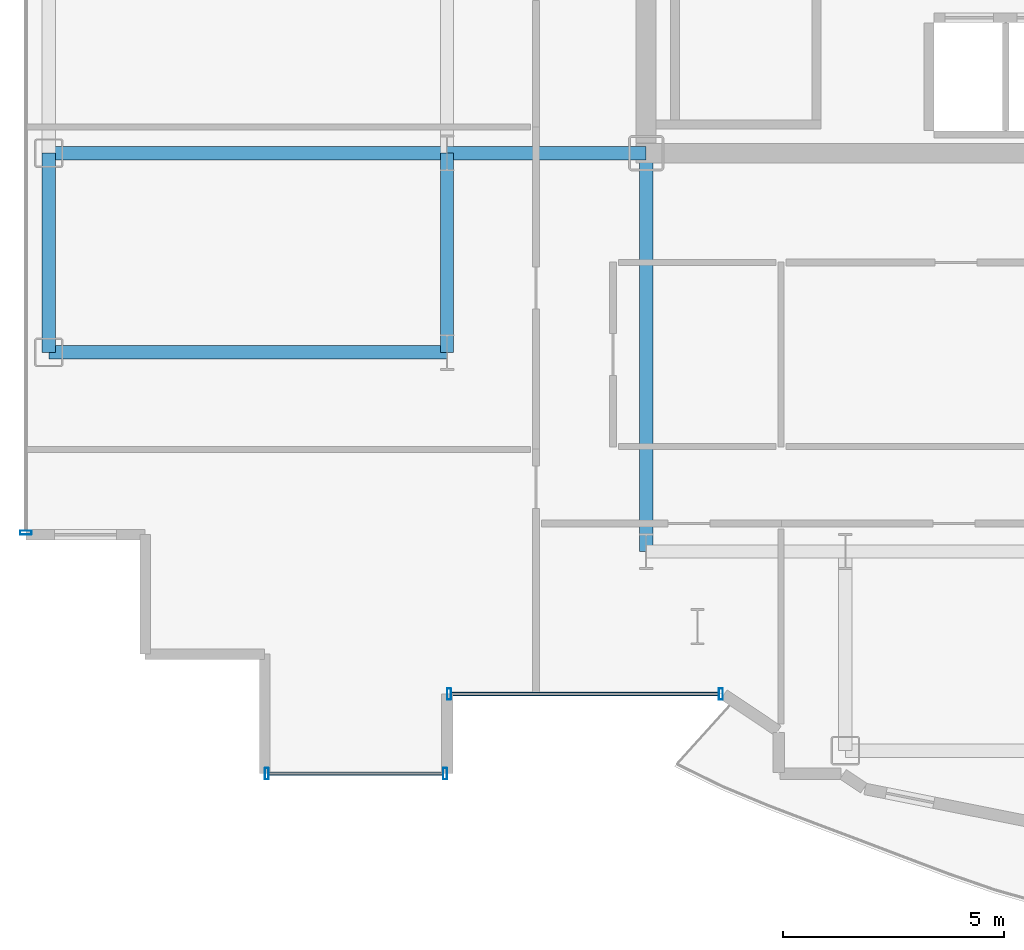
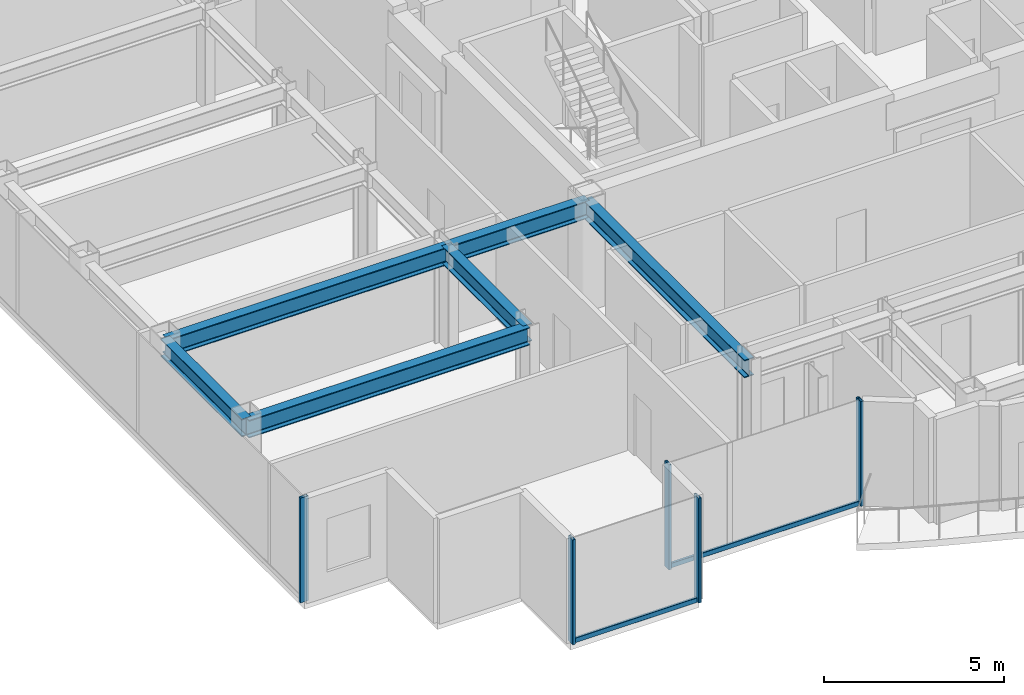
# One storey, part 2 of 21: 7 members, 6 beams, 3 elements without a shape of their own.
"""IFC4 building model written with IfcOpenShell, lengths in metres."""

import ifcopenshell
import ifcopenshell.guid

model = None  # the IFC model being written
_history = None  # IfcOwnerHistory: only IFC2X3 demands one
_inside = {}  # id of a spatial element -> (the spatial element, [elements in it])
_under = {}  # id of a project, library or spatial element -> (it, [spatial elements below it])
_declared = {}  # id of a project -> (the project, [libraries it declares])
_typed = {}  # id of a type object -> (the type object, [elements of that type])
_made_of = {}  # id of a material, layer set ... -> (it, [elements and type objects made of it])


def new_model(schema):
    """Start an empty IFC model of exactly this schema.

    Asked for "IFC4X3", IfcOpenShell would pick the latest addendum, in which some entities
    have other attributes; the version numbers below select the first issue.
    IFC2X3 requires an IfcOwnerHistory on every rooted entity: one is made here for all.
    """
    global model, _history
    if schema == "IFC4X3":
        model = ifcopenshell.file(schema_version=(4, 3, 0, 0))
    else:
        model = ifcopenshell.file(schema=schema)
    _inside.clear()
    _under.clear()
    _declared.clear()
    _typed.clear()
    _made_of.clear()
    _history = None
    if model.schema == "IFC2X3":
        org = make("IfcOrganization", Name="unknown")
        user = make(
            "IfcPersonAndOrganization",
            ThePerson=make("IfcPerson", FamilyName="unknown"),
            TheOrganization=org,
        )
        app = make(
            "IfcApplication",
            ApplicationDeveloper=org,
            Version="unknown",
            ApplicationFullName="unknown",
            ApplicationIdentifier="unknown",
        )
        _history = make(
            "IfcOwnerHistory",
            OwningUser=user,
            OwningApplication=app,
            ChangeAction="ADDED",
            CreationDate=0,
        )
    return model


def make(cls, **values):
    """One entity of the class cls with the attributes given. An attribute that is None is left unset."""
    return model.create_entity(
        cls, **{name: value for name, value in values.items() if value is not None}
    )


def rooted(cls, **values):
    """An entity with a GlobalId (a new one), such as an element, a storey or a relation."""
    return make(cls, GlobalId=ifcopenshell.guid.new(), OwnerHistory=_history, **values)


def si_unit(unit_type, name, prefix=None):
    """IfcSIUnit, for example si_unit("LENGTHUNIT", "METRE", prefix="MILLI")."""
    return make("IfcSIUnit", UnitType=unit_type, Prefix=prefix, Name=name)


def assignment(units):
    """IfcUnitAssignment: the units of a project."""
    return None if units is None else make("IfcUnitAssignment", Units=units)


def point(xyz):
    """IfcCartesianPoint."""
    return None if xyz is None else make("IfcCartesianPoint", Coordinates=xyz)


def direction(xyz):
    """IfcDirection."""
    return None if xyz is None else make("IfcDirection", DirectionRatios=xyz)


def frame(location, z_axis=None, x_axis=None):
    """IfcAxis2Placement3D, a coordinate frame: its origin and axes. An axis left out is left unset."""
    return make(
        "IfcAxis2Placement3D",
        Location=point(location),
        Axis=direction(z_axis),
        RefDirection=direction(x_axis),
    )


def frame_2d(location, x_axis=None):
    """IfcAxis2Placement2D, a coordinate frame in the plane: its origin and x axis."""
    return make(
        "IfcAxis2Placement2D", Location=point(location), RefDirection=direction(x_axis)
    )


def origin():
    """The frame at (0, 0, 0) with its axes left unset."""
    return frame((0.0, 0.0, 0.0))


def origin_2d():
    """The frame at (0, 0) in the plane with its x axis left unset."""
    return frame_2d((0.0, 0.0))


def place(relative_to, where):
    """IfcLocalPlacement: puts the frame where relative to a parent placement (None: the world)."""
    return make(
        "IfcLocalPlacement", PlacementRelTo=relative_to, RelativePlacement=where
    )


def context(
    kind, dimensions, precision=None, world=None, true_north=None, identifier=None
):
    """IfcGeometricRepresentationContext, for example the 3D "Model" context."""
    return make(
        "IfcGeometricRepresentationContext",
        ContextIdentifier=identifier,
        ContextType=kind,
        CoordinateSpaceDimension=dimensions,
        Precision=precision,
        WorldCoordinateSystem=world,
        TrueNorth=true_north,
    )


def subcontext(parent, identifier, kind, view, scale=None):
    """IfcGeometricRepresentationSubContext, for example "Body" below "Model"."""
    return make(
        "IfcGeometricRepresentationSubContext",
        ContextIdentifier=identifier,
        ContextType=kind,
        ParentContext=parent,
        TargetScale=scale,
        TargetView=view,
    )


def project(units=None, contexts=None):
    """IfcProject with its units and contexts."""
    return rooted(
        "IfcProject",
        Name="project",
        RepresentationContexts=contexts,
        UnitsInContext=assignment(units),
    )


def spatial(cls, under=None, at=None, **own):
    """A site, building, storey or space (cls), placed at a placement, below another one or the project."""
    s = rooted(cls, ObjectPlacement=at, **own)
    if under is not None:
        _under.setdefault(under.id(), (under, []))[1].append(s)
    return s


def profile(cls, at=None, kind="AREA", **sizes):
    """A parametric profile (cls). Its sizes go by their IFC names, for example OverallWidth=200.0."""
    return make(cls, ProfileType=kind, Position=at, **sizes)


def hollow_rectangle(**sizes):
    """IfcRectangleHollowProfileDef."""
    return profile("IfcRectangleHollowProfileDef", **sizes)


def i_section(**sizes):
    """IfcIShapeProfileDef."""
    return profile("IfcIShapeProfileDef", **sizes)


def extrude(swept, where, along, depth):
    """IfcExtrudedAreaSolid: the profile swept, set in the frame where, extruded along a direction by depth."""
    return make(
        "IfcExtrudedAreaSolid",
        SweptArea=swept,
        Position=where,
        ExtrudedDirection=direction(along),
        Depth=depth,
    )


def shape(context_of_items, identifier, shape_type, items):
    """IfcShapeRepresentation: the items that make up one representation, for example the "Body"."""
    return make(
        "IfcShapeRepresentation",
        ContextOfItems=context_of_items,
        RepresentationIdentifier=identifier,
        RepresentationType=shape_type,
        Items=items,
    )


def source(mapping_origin, context_of_items, identifier, shape_type, items):
    """IfcRepresentationMap: a shape defined once, which mapped items show again and again."""
    return make(
        "IfcRepresentationMap",
        MappingOrigin=mapping_origin,
        MappedRepresentation=shape(context_of_items, identifier, shape_type, items),
    )


def transform(
    local_origin,
    x_axis=None,
    y_axis=None,
    z_axis=None,
    scale=None,
    scale2=None,
    scale3=None,
    uniform=True,
):
    """IfcCartesianTransformationOperator3D, or its non-uniform kind. x_axis, y_axis, z_axis: its Axis1, 2, 3."""
    if uniform:
        return make(
            "IfcCartesianTransformationOperator3D",
            Axis1=direction(x_axis),
            Axis2=direction(y_axis),
            LocalOrigin=point(local_origin),
            Scale=scale,
            Axis3=direction(z_axis),
        )
    return make(
        "IfcCartesianTransformationOperator3DnonUniform",
        Axis1=direction(x_axis),
        Axis2=direction(y_axis),
        LocalOrigin=point(local_origin),
        Scale=scale,
        Axis3=direction(z_axis),
        Scale2=scale2,
        Scale3=scale3,
    )


def mapped(mapping_source, mapping_target):
    """IfcMappedItem: shows the shape of a source again, moved by a transform."""
    return make(
        "IfcMappedItem", MappingSource=mapping_source, MappingTarget=mapping_target
    )


def material(Name=None, Category=None):
    """IfcMaterial."""
    return make("IfcMaterial", Name=Name, Category=Category)


def layer(
    of_material, thickness, ventilated=None, Name=None, Category=None, Priority=None
):
    """IfcMaterialLayer: one layer of a wall or slab, of a material (None: an air gap)."""
    return make(
        "IfcMaterialLayer",
        Material=of_material,
        LayerThickness=thickness,
        IsVentilated=ventilated,
        Name=Name,
        Category=Category,
        Priority=Priority,
    )


def layer_set(layers, Name=None):
    """IfcMaterialLayerSet."""
    return make("IfcMaterialLayerSet", MaterialLayers=layers, LayerSetName=Name)


def material_profile(
    of_material, cross_section, Name=None, Category=None, Priority=None
):
    """IfcMaterialProfile: a cross section and its material."""
    return make(
        "IfcMaterialProfile",
        Name=Name,
        Material=of_material,
        Profile=cross_section,
        Priority=Priority,
        Category=Category,
    )


def profile_set(profiles, Name=None, composite=None):
    """IfcMaterialProfileSet."""
    return make(
        "IfcMaterialProfileSet",
        Name=Name,
        MaterialProfiles=profiles,
        CompositeProfile=composite,
    )


def made_of(thing, what):
    """Note that an element or type object is made of a material, layer set ...; save() writes the relation."""
    if what is not None:
        _made_of.setdefault(what.id(), (what, []))[1].append(thing)
    return thing


def type_object(cls, material=None, **own):
    """A type object (cls), such as IfcWallType, which elements share."""
    return made_of(rooted(cls, **own), material)


def element(
    cls,
    number,
    at=None,
    inside=None,
    cuts=None,
    type_object=None,
    material=None,
    context=None,
    identifier="Body",
    shape_type=None,
    held_by="IfcProductDefinitionShape",
    body=None,
    shapes=None,
    **own,
):
    """One element of the class cls, such as IfcWall. Its Tag is "e" and its number.

    at: its placement. inside: the storey or other place that contains it. cuts: it is an
    opening in that element (IfcRelVoidsElement). A single representation is given by context,
    identifier, shape_type and body (its items); several are given by shapes. held_by: the class
    of the entity that holds the representations. save() writes the other relations.
    """
    e = rooted(cls, Tag="e%d" % number, ObjectPlacement=at, **own)
    if body is not None:
        shapes = [shape(context, identifier, shape_type, body)]
    if shapes is not None:
        e.Representation = make(held_by, Representations=shapes)
    if inside is not None:
        _inside.setdefault(inside.id(), (inside, []))[1].append(e)
    if cuts is not None:
        rooted(
            "IfcRelVoidsElement", RelatingBuildingElement=cuts, RelatedOpeningElement=e
        )
    if type_object is not None:
        _typed.setdefault(type_object.id(), (type_object, []))[1].append(e)
    return made_of(e, material)


def aggregate(whole, parts):
    """IfcRelAggregates: a whole, such as a stair, and the parts it consists of."""
    return rooted("IfcRelAggregates", RelatingObject=whole, RelatedObjects=parts)


def save(model, path):
    """Write the relations noted so far, then the file.

    IfcRelAggregates (storeys below a building ...), IfcRelContainedInSpatialStructure (elements
    in a storey), IfcRelDefinesByType, IfcRelAssociatesMaterial and IfcRelDeclares: one each for
    every whole, place, type object, material and project.
    """
    for whole, parts in _under.values():
        aggregate(whole, parts)
    for where, things in _inside.values():
        rooted(
            "IfcRelContainedInSpatialStructure",
            RelatedElements=things,
            RelatingStructure=where,
        )
    for kind, things in _typed.values():
        rooted("IfcRelDefinesByType", RelatedObjects=things, RelatingType=kind)
    for what, things in _made_of.values():
        rooted("IfcRelAssociatesMaterial", RelatedObjects=things, RelatingMaterial=what)
    for by, libraries in _declared.values():
        rooted("IfcRelDeclares", RelatingContext=by, RelatedDefinitions=libraries)
    model.write(path)


model = new_model("IFC4")

# Units and contexts
model_context = context("Model", 3, precision=1e-05, world=origin(), true_north=direction((0.0, 1.0)))
body_context = subcontext(model_context, "Body", "Model", "MODEL_VIEW")
ifc_project = project(units=[si_unit("LENGTHUNIT", "METRE"), si_unit("AREAUNIT", "SQUARE_METRE"), si_unit("VOLUMEUNIT", "CUBIC_METRE"), si_unit("PLANEANGLEUNIT", "RADIAN"), si_unit("MASSUNIT", "GRAM", prefix="KILO")], contexts=[model_context])

# Site, building, storey
site_placement = place(None, origin())
site = spatial("IfcSite", under=ifc_project, at=site_placement, CompositionType="ELEMENT")
building_placement = place(site_placement, origin())
building = spatial("IfcBuilding", under=site, at=building_placement, Name="Nefas-Gora Pilgrimage Tower", CompositionType="ELEMENT")
storey_placement = place(building_placement, frame((0.0, 0.0, 210.39990234375)))
storey = spatial("IfcBuildingStorey", under=building, at=storey_placement, Name="L52", CompositionType="ELEMENT", Elevation=210.39990234375)

# Beams
ifc_material_1 = material(Name="Steel S355", Category="steel")
ifc_material_profile_1 = material_profile(ifc_material_1, i_section(OverallWidth=0.300048828125, OverallDepth=0.60009765625, WebThickness=0.015380859375, FlangeThickness=0.030029296875, FilletRadius=0.027099609375, at=origin_2d()), Name="HEB 600")
ifc_profile_set_1 = profile_set([ifc_material_profile_1], Name="Steel S355")
beam_type_1 = type_object("IfcBeamType", Name="BM-SPN-HEB450", PredefinedType="SPANDREL", material=ifc_profile_set_1)
shared_shape_1 = source(origin(), body_context, "Body", "SweptSolid", [
    extrude(i_section(OverallWidth=0.300048828125, OverallDepth=0.60009765625, WebThickness=0.015380859375, FlangeThickness=0.030029296875, FilletRadius=0.027099609375, at=origin_2d()), origin(), (0.0, 0.0, 1.0), 4.5),
])
beam_placement = place(storey_placement, frame((-24.75, -13.5, 3.25), z_axis=(0.0, 1.0, 0.0), x_axis=(-1.0, 0.0, 0.0)))
element("IfcBeam", 1, at=beam_placement, inside=storey, type_object=beam_type_1, Name="L52 SP-03 beam", PredefinedType="SPANDREL", context=body_context, shape_type="MappedRepresentation", body=[
    mapped(shared_shape_1, transform((0.0, 0.0, 0.0), x_axis=(1.0, 0.0, 0.0), y_axis=(0.0, 1.0, 0.0), z_axis=(0.0, 0.0, 1.0), scale=1.0)),
])
ifc_material_profile_2 = material_profile(ifc_material_1, i_section(OverallWidth=0.300048828125, OverallDepth=0.60009765625, WebThickness=0.015380859375, FlangeThickness=0.030029296875, FilletRadius=0.027099609375, at=origin_2d()), Name="HEB 600")
ifc_profile_set_2 = profile_set([ifc_material_profile_2], Name="Steel S355")
beam_type_2 = type_object("IfcBeamType", Name="BM-GIR-HEB600", PredefinedType="BEAM", material=ifc_profile_set_2)
shared_shape_2 = source(origin(), body_context, "Body", "SweptSolid", [
    extrude(i_section(OverallWidth=0.300048828125, OverallDepth=0.60009765625, WebThickness=0.015380859375, FlangeThickness=0.030029296875, FilletRadius=0.027099609375, at=origin_2d()), origin(), (0.0, 0.0, 1.0), 9.0),
])
for number, where, z_axis, x_axis, name in (
    (2, (-24.75, -13.5, 3.25), (1.0, 0.0, 0.0), (0.0, 1.0, 0.0), "L52 G-04 beam"),
    (3, (-24.75, -9.0, 3.25), (1.0, 0.0, 0.0), (0.0, 1.0, 0.0), "L52 G-04 beam"),
    (4, (-11.25, -18.0, 3.25), (0.0, 1.0, 0.0), (-1.0, 0.0, 0.0), "L52 G-04 beam"),
):
    element("IfcBeam", number, at=place(storey_placement, frame(where, z_axis=z_axis, x_axis=x_axis)), inside=storey, type_object=beam_type_2, Name=name, PredefinedType="BEAM", context=body_context, shape_type="MappedRepresentation", body=[
        mapped(shared_shape_2, transform((0.0, 0.0, 0.0), x_axis=(1.0, 0.0, 0.0), y_axis=(0.0, 1.0, 0.0), z_axis=(0.0, 0.0, 1.0), scale=1.0)),
    ])
shared_shape_3 = source(origin(), body_context, "Body", "SweptSolid", [
    extrude(i_section(OverallWidth=0.300048828125, OverallDepth=0.60009765625, WebThickness=0.015380859375, FlangeThickness=0.030029296875, FilletRadius=0.027099609375, at=origin_2d()), origin(), (0.0, 0.0, 1.0), 4.5),
])
for number, where, z_axis, x_axis, name in (
    (5, (-15.75, -13.5, 3.25), (0.0, 1.0, 0.0), (-1.0, 0.0, 0.0), "L52 G-04 beam"),
    (6, (-15.75, -9.0, 3.25), (1.0, 0.0, 0.0), (0.0, 1.0, 0.0), "L52 G-04 beam"),
):
    element("IfcBeam", number, at=place(storey_placement, frame(where, z_axis=z_axis, x_axis=x_axis)), inside=storey, type_object=beam_type_2, Name=name, PredefinedType="BEAM", context=body_context, shape_type="MappedRepresentation", body=[
        mapped(shared_shape_3, transform((0.0, 0.0, 0.0), x_axis=(1.0, 0.0, 0.0), y_axis=(0.0, 1.0, 0.0), z_axis=(0.0, 0.0, 1.0), scale=1.0)),
    ])

# Curtain wall, members
ifc_material_2 = material(Name="Dark ceramic-fritted solar-control aluminium-glass curtain wall", Category="aluminium")
ifc_layer_1 = layer(ifc_material_2, 0.219970703125)
ifc_layer_set_1 = layer_set([ifc_layer_1], Name="Dark ceramic-fritted solar-control aluminium-glass curtain wall")
curtain_wall_type_1 = type_object("IfcCurtainWallType", Name="CW-SYS-5", PredefinedType="NOTDEFINED", material=ifc_layer_set_1)
curtain_wall_1_placement = place(storey_placement, origin())
curtain_wall_1 = element("IfcCurtainWall", 7, at=curtain_wall_1_placement, inside=storey, type_object=curtain_wall_type_1, Name="L52 Unitised Curtain Wall CW5", PredefinedType="NOTDEFINED")
ifc_material_3 = material(Name="Anodised architectural aluminium", Category="aluminium")
ifc_material_profile_3 = material_profile(ifc_material_3, hollow_rectangle(XDim=0.090087890625, YDim=0.260009765625, WallThickness=0.006103515625, InnerFilletRadius=0.006103515625, OuterFilletRadius=0.011962890625, at=origin_2d()), Name="ALU MULLION 90x260")
ifc_profile_set_3 = profile_set([ifc_material_profile_3], Name="Anodised architectural aluminium")
member_type_1 = type_object("IfcMemberType", Name="CWM-MUL-5", PredefinedType="MULLION", material=ifc_profile_set_3)
shared_shape_4 = source(origin(), body_context, "Body", "SweptSolid", [
    extrude(hollow_rectangle(XDim=0.090087890625, YDim=0.260009765625, WallThickness=0.006103515625, InnerFilletRadius=0.006103515625, OuterFilletRadius=0.011962890625, at=origin_2d()), origin(), (0.0, 0.0, 1.0), 3.550048828125),
])
member_1_placement = place(storey_placement, frame((-15.705078125, -21.219970703125, 0.0), z_axis=(0.0, 0.0, 1.0), x_axis=(1.0, 0.0, 0.0)))
member_1 = element("IfcMember", 8, at=member_1_placement, type_object=member_type_1, Name="CW5 Mullion 1", PredefinedType="MULLION", context=body_context, shape_type="MappedRepresentation", body=[
    mapped(shared_shape_4, transform((0.0, 0.0, 0.0), x_axis=(1.0, 0.0, 0.0), y_axis=(0.0, 1.0, 0.0), z_axis=(0.0, 0.0, 1.0), scale=1.0)),
])
member_2_placement = place(storey_placement, frame((-9.56298828125, -21.219970703125, 0.0), z_axis=(0.0, 0.0, 1.0), x_axis=(1.0, 0.0, 0.0)))
member_2 = element("IfcMember", 9, at=member_2_placement, type_object=member_type_1, Name="CW5 Mullion 2", PredefinedType="MULLION", context=body_context, shape_type="MappedRepresentation", body=[
    mapped(shared_shape_4, transform((0.0, 0.0, 0.0), x_axis=(1.0, 0.0, 0.0), y_axis=(0.0, 1.0, 0.0), z_axis=(0.0, 0.0, 1.0), scale=1.0)),
])
ifc_material_profile_4 = material_profile(ifc_material_3, hollow_rectangle(XDim=0.080078125, YDim=0.159912109375, WallThickness=0.00439453125, InnerFilletRadius=0.00439453125, OuterFilletRadius=0.009033203125, at=origin_2d()), Name="ALU TRANSOM 80x160")
ifc_profile_set_4 = profile_set([ifc_material_profile_4], Name="Anodised architectural aluminium")
member_type_2 = type_object("IfcMemberType", Name="CWM-TRN-5", PredefinedType="USERDEFINED", material=ifc_profile_set_4)
shared_shape_5 = source(origin(), body_context, "Body", "SweptSolid", [
    extrude(hollow_rectangle(XDim=0.080078125, YDim=0.159912109375, WallThickness=0.00439453125, InnerFilletRadius=0.00439453125, OuterFilletRadius=0.009033203125, at=origin_2d()), origin(), (0.0, 0.0, 1.0), 6.052001953125),
])
member_3_placement = place(storey_placement, frame((-15.659912109375, -21.219970703125, 0.050048828125), z_axis=(1.0, 0.0, 0.0), x_axis=(0.0, 1.0, 0.0)))
member_3 = element("IfcMember", 10, at=member_3_placement, type_object=member_type_2, Name="CW5 Spandrel Transom", ObjectType="TRANSOM", PredefinedType="USERDEFINED", context=body_context, shape_type="MappedRepresentation", body=[
    mapped(shared_shape_5, transform((0.0, 0.0, 0.0), x_axis=(1.0, 0.0, 0.0), y_axis=(0.0, 1.0, 0.0), z_axis=(0.0, 0.0, 1.0), scale=1.0)),
])
aggregate(curtain_wall_1, [member_1, member_2, member_3])

# Curtain wall, member
ifc_layer_2 = layer(ifc_material_2, 0.219970703125)
ifc_layer_set_2 = layer_set([ifc_layer_2], Name="Dark ceramic-fritted solar-control aluminium-glass curtain wall")
curtain_wall_type_2 = type_object("IfcCurtainWallType", Name="CW-SYS-3", PredefinedType="NOTDEFINED", material=ifc_layer_set_2)
curtain_wall_2_placement = place(storey_placement, origin())
curtain_wall_2 = element("IfcCurtainWall", 11, at=curtain_wall_2_placement, inside=storey, type_object=curtain_wall_type_2, Name="L52 Unitised Curtain Wall CW3", PredefinedType="NOTDEFINED")
ifc_material_profile_5 = material_profile(ifc_material_3, hollow_rectangle(XDim=0.090087890625, YDim=0.260009765625, WallThickness=0.006103515625, InnerFilletRadius=0.006103515625, OuterFilletRadius=0.011962890625, at=origin_2d()), Name="ALU MULLION 90x260")
ifc_profile_set_5 = profile_set([ifc_material_profile_5], Name="Anodised architectural aluminium")
member_type_3 = type_object("IfcMemberType", Name="CWM-MUL-3", PredefinedType="MULLION", material=ifc_profile_set_5)
shared_shape_6 = source(origin(), body_context, "Body", "SweptSolid", [
    extrude(hollow_rectangle(XDim=0.090087890625, YDim=0.260009765625, WallThickness=0.006103515625, InnerFilletRadius=0.006103515625, OuterFilletRadius=0.011962890625, at=origin_2d()), origin(), (0.0, 0.0, 1.0), 3.550048828125),
])
member_4_placement = place(storey_placement, frame((-25.27001953125, -17.574951171875, 0.0), z_axis=(0.0, 0.0, 1.0), x_axis=(0.0, -1.0, 0.0)))
member_4 = element("IfcMember", 12, at=member_4_placement, type_object=member_type_3, Name="CW3 Mullion 2", PredefinedType="MULLION", context=body_context, shape_type="MappedRepresentation", body=[
    mapped(shared_shape_6, transform((0.0, 0.0, 0.0), x_axis=(1.0, 0.0, 0.0), y_axis=(0.0, 1.0, 0.0), z_axis=(0.0, 0.0, 1.0), scale=1.0)),
])
aggregate(curtain_wall_2, [member_4])

# Curtain wall, members
curtain_wall_3_placement = place(storey_placement, origin())
curtain_wall_3 = element("IfcCurtainWall", 13, at=curtain_wall_3_placement, inside=storey, type_object=curtain_wall_type_2, Name="L52 Unitised Curtain Wall CW3", PredefinedType="NOTDEFINED")
member_5_placement = place(storey_placement, frame((-19.824951171875, -23.02001953125, 0.0), z_axis=(0.0, 0.0, 1.0), x_axis=(1.0, 0.0, 0.0)))
member_5 = element("IfcMember", 14, at=member_5_placement, type_object=member_type_3, Name="CW3 Mullion 1", PredefinedType="MULLION", context=body_context, shape_type="MappedRepresentation", body=[
    mapped(shared_shape_6, transform((0.0, 0.0, 0.0), x_axis=(1.0, 0.0, 0.0), y_axis=(0.0, 1.0, 0.0), z_axis=(0.0, 0.0, 1.0), scale=1.0)),
])
member_6_placement = place(storey_placement, frame((-15.794921875, -23.02001953125, 0.0), z_axis=(0.0, 0.0, 1.0), x_axis=(1.0, 0.0, 0.0)))
member_6 = element("IfcMember", 15, at=member_6_placement, type_object=member_type_3, Name="CW3 Mullion 2", PredefinedType="MULLION", context=body_context, shape_type="MappedRepresentation", body=[
    mapped(shared_shape_6, transform((0.0, 0.0, 0.0), x_axis=(1.0, 0.0, 0.0), y_axis=(0.0, 1.0, 0.0), z_axis=(0.0, 0.0, 1.0), scale=1.0)),
])
ifc_material_profile_6 = material_profile(ifc_material_3, hollow_rectangle(XDim=0.080078125, YDim=0.159912109375, WallThickness=0.00439453125, InnerFilletRadius=0.00439453125, OuterFilletRadius=0.009033203125, at=origin_2d()), Name="ALU TRANSOM 80x160")
ifc_profile_set_6 = profile_set([ifc_material_profile_6], Name="Anodised architectural aluminium")
member_type_4 = type_object("IfcMemberType", Name="CWM-TRN-3", PredefinedType="USERDEFINED", material=ifc_profile_set_6)
shared_shape_7 = source(origin(), body_context, "Body", "SweptSolid", [
    extrude(hollow_rectangle(XDim=0.080078125, YDim=0.159912109375, WallThickness=0.00439453125, InnerFilletRadius=0.00439453125, OuterFilletRadius=0.009033203125, at=origin_2d()), origin(), (0.0, 0.0, 1.0), 3.93994140625),
])
member_7_placement = place(storey_placement, frame((-19.780029296875, -23.02001953125, 0.050048828125), z_axis=(1.0, 0.0, 0.0), x_axis=(0.0, 1.0, 0.0)))
member_7 = element("IfcMember", 16, at=member_7_placement, type_object=member_type_4, Name="CW3 Spandrel Transom", ObjectType="TRANSOM", PredefinedType="USERDEFINED", context=body_context, shape_type="MappedRepresentation", body=[
    mapped(shared_shape_7, transform((0.0, 0.0, 0.0), x_axis=(1.0, 0.0, 0.0), y_axis=(0.0, 1.0, 0.0), z_axis=(0.0, 0.0, 1.0), scale=1.0)),
])
aggregate(curtain_wall_3, [member_5, member_6, member_7])

save(model, "model.ifc")
